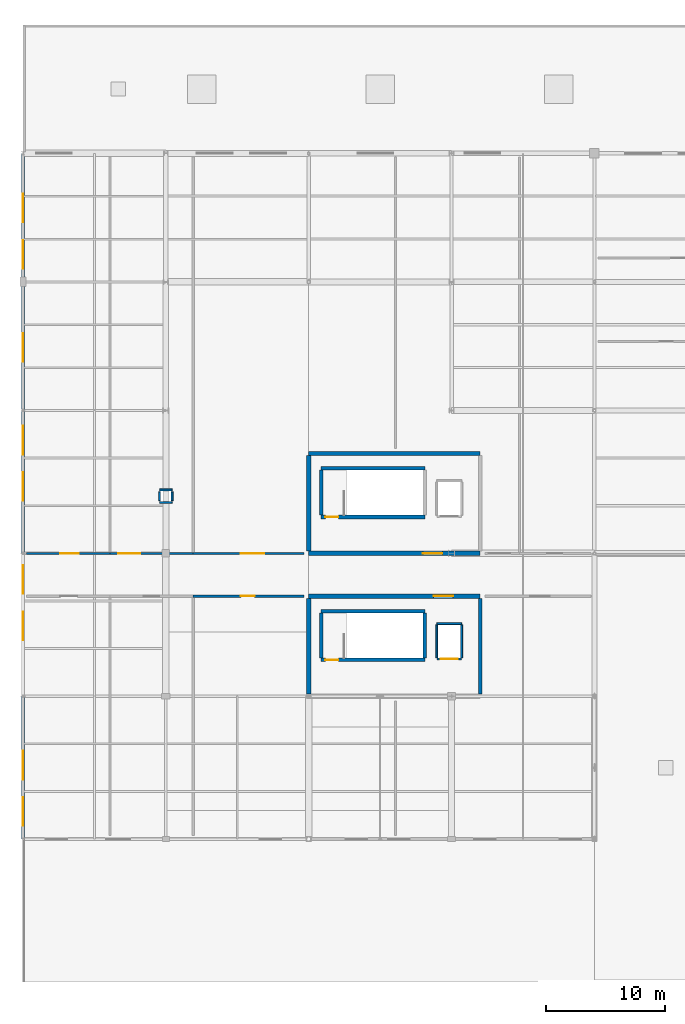
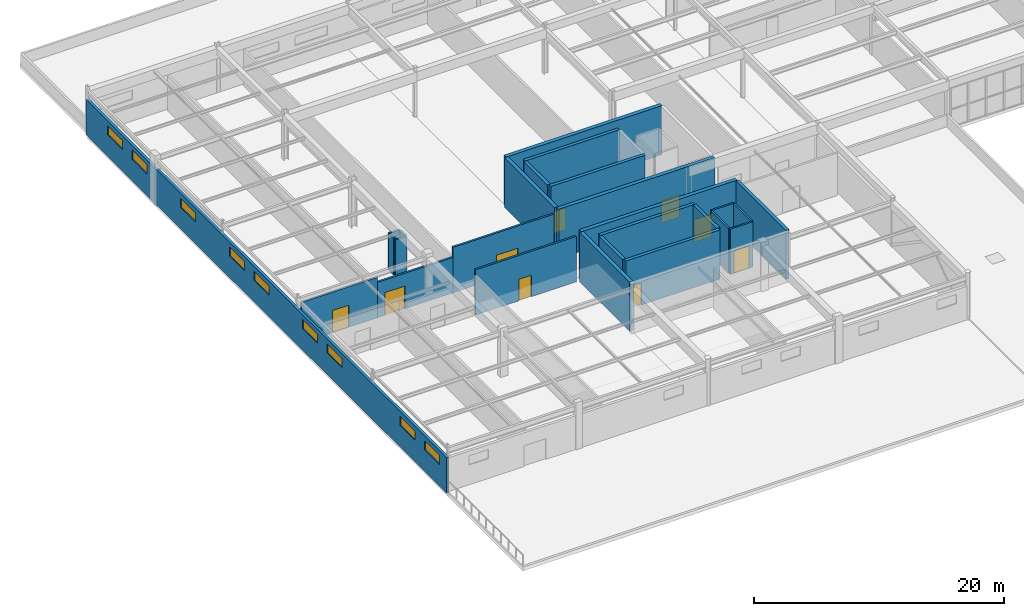
# One storey, part 158 of 186: 26 walls, 9 doors, 9 windows, 18 openings.
"""IFC4 building model written with IfcOpenShell, lengths in metres."""

from ifc_helpers import new_model, si_unit, direction, frame, frame_2d, origin, place, context, subcontext, project, spatial, rectangle, extrude, material, layer, layer_set, type_object, element, fill, save


model = new_model("IFC4")

# Units and contexts
model_context = context("Model", 3, precision=1e-05, world=origin(), true_north=direction((0.0, 1.0)))
body_context = subcontext(model_context, "Body", "Model", "MODEL_VIEW")
ifc_project = project(units=[si_unit("LENGTHUNIT", "METRE"), si_unit("AREAUNIT", "SQUARE_METRE"), si_unit("VOLUMEUNIT", "CUBIC_METRE"), si_unit("PLANEANGLEUNIT", "RADIAN"), si_unit("MASSUNIT", "GRAM", prefix="KILO")], contexts=[model_context])

# Site, building, storey
site_placement = place(None, origin())
site = spatial("IfcSite", under=ifc_project, at=site_placement, CompositionType="ELEMENT")
building_placement = place(site_placement, origin())
building = spatial("IfcBuilding", under=site, at=building_placement, Name="Tarnwether General Hospital", CompositionType="ELEMENT")
storey_placement = place(building_placement, frame((0.0, 0.0, 9.60009765625)))
storey = spatial("IfcBuildingStorey", under=building, at=storey_placement, Name="L02", CompositionType="ELEMENT", Elevation=9.60009765625)

# Wall, openings, windows
ifc_material_1 = material(Name="Folded zinc-titanium cladding")
ifc_layer_1 = layer(ifc_material_1, 0.239990234375)
ifc_layer_set_1 = layer_set([ifc_layer_1], Name="Folded zinc-titanium cladding")
wall_type_1 = type_object("IfcWallType", Name="WL-EX240", PredefinedType="STANDARD", material=ifc_layer_set_1)
wall_1_placement = place(storey_placement, frame((0.0, 57.60009765625, 0.0), z_axis=(0.0, 0.0, 1.0), x_axis=(0.0, 1.0, 0.0)))
wall_1 = element("IfcWall", 1, at=wall_1_placement, inside=storey, type_object=wall_type_1, Name="L02 Operating Suite West Wall EW-L02-0314", PredefinedType="STANDARD", context=body_context, shape_type="SweptSolid", body=[
    extrude(rectangle(XDim=57.599853515625, YDim=0.239990234375, at=frame_2d((28.7998046875, 0.0))), origin(), (0.0, 0.0, 1.0), 3.46484375),
])
opening_1_placement = place(wall_1_placement, frame((1.10009765625, 0.0, 2.10009765625)))
opening_1 = element("IfcOpeningElement", 2, at=opening_1_placement, cuts=wall_1, Name="Opening W-19", PredefinedType="OPENING", context=body_context, shape_type="SweptSolid", body=[
    extrude(rectangle(XDim=2.39990234375, YDim=0.89990234375, at=frame_2d((1.199951171875, 0.449951171875))), frame((0.0, 0.1298828125, 0.0), z_axis=(0.0, -1.0, 0.0), x_axis=(1.0, 0.0, 0.0)), (0.0, 0.0, 1.0), 0.260009765625),
])
opening_2_placement = place(wall_1_placement, frame((5.0, 0.0, 2.10009765625)))
opening_2 = element("IfcOpeningElement", 3, at=opening_2_placement, cuts=wall_1, Name="Opening W-19", PredefinedType="OPENING", context=body_context, shape_type="SweptSolid", body=[
    extrude(rectangle(XDim=2.39990234375, YDim=0.89990234375, at=frame_2d((1.199951171875, 0.449951171875))), frame((0.0, 0.1298828125, 0.0), z_axis=(0.0, -1.0, 0.0), x_axis=(1.0, 0.0, 0.0)), (0.0, 0.0, 1.0), 0.260009765625),
])
opening_3_placement = place(wall_1_placement, frame((16.699951171875, 0.0, 2.10009765625)))
opening_3 = element("IfcOpeningElement", 4, at=opening_3_placement, cuts=wall_1, Name="Opening W-19", PredefinedType="OPENING", context=body_context, shape_type="SweptSolid", body=[
    extrude(rectangle(XDim=2.39990234375, YDim=0.89990234375, at=frame_2d((1.199951171875, 0.449951171875))), frame((0.0, 0.1298828125, 0.0), z_axis=(0.0, -1.0, 0.0), x_axis=(1.0, 0.0, 0.0)), (0.0, 0.0, 1.0), 0.260009765625),
])
opening_4_placement = place(wall_1_placement, frame((20.60009765625, 0.0, 2.10009765625)))
opening_4 = element("IfcOpeningElement", 5, at=opening_4_placement, cuts=wall_1, Name="Opening W-19", PredefinedType="OPENING", context=body_context, shape_type="SweptSolid", body=[
    extrude(rectangle(XDim=2.39990234375, YDim=0.89990234375, at=frame_2d((1.199951171875, 0.449951171875))), frame((0.0, 0.1298828125, 0.0), z_axis=(0.0, -1.0, 0.0), x_axis=(1.0, 0.0, 0.0)), (0.0, 0.0, 1.0), 0.260009765625),
])
opening_5_placement = place(wall_1_placement, frame((28.39990234375, 0.0, 2.10009765625)))
opening_5 = element("IfcOpeningElement", 6, at=opening_5_placement, cuts=wall_1, Name="Opening W-19", PredefinedType="OPENING", context=body_context, shape_type="SweptSolid", body=[
    extrude(rectangle(XDim=2.39990234375, YDim=0.89990234375, at=frame_2d((1.199951171875, 0.449951171875))), frame((0.0, 0.1298828125, 0.0), z_axis=(0.0, -1.0, 0.0), x_axis=(1.0, 0.0, 0.0)), (0.0, 0.0, 1.0), 0.260009765625),
])
opening_6_placement = place(wall_1_placement, frame((32.300048828125, 0.0, 2.10009765625)))
opening_6 = element("IfcOpeningElement", 7, at=opening_6_placement, cuts=wall_1, Name="Opening W-19", PredefinedType="OPENING", context=body_context, shape_type="SweptSolid", body=[
    extrude(rectangle(XDim=2.39990234375, YDim=0.89990234375, at=frame_2d((1.199951171875, 0.449951171875))), frame((0.0, 0.1298828125, 0.0), z_axis=(0.0, -1.0, 0.0), x_axis=(1.0, 0.0, 0.0)), (0.0, 0.0, 1.0), 0.260009765625),
])
opening_7_placement = place(wall_1_placement, frame((40.10009765625, 0.0, 2.10009765625)))
opening_7 = element("IfcOpeningElement", 8, at=opening_7_placement, cuts=wall_1, Name="Opening W-19", PredefinedType="OPENING", context=body_context, shape_type="SweptSolid", body=[
    extrude(rectangle(XDim=2.39990234375, YDim=0.89990234375, at=frame_2d((1.199951171875, 0.449951171875))), frame((0.0, 0.1298828125, 0.0), z_axis=(0.0, -1.0, 0.0), x_axis=(1.0, 0.0, 0.0)), (0.0, 0.0, 1.0), 0.260009765625),
])
opening_8_placement = place(wall_1_placement, frame((47.89990234375, 0.0, 2.10009765625)))
opening_8 = element("IfcOpeningElement", 9, at=opening_8_placement, cuts=wall_1, Name="Opening W-19", PredefinedType="OPENING", context=body_context, shape_type="SweptSolid", body=[
    extrude(rectangle(XDim=2.39990234375, YDim=0.89990234375, at=frame_2d((1.199951171875, 0.449951171875))), frame((0.0, 0.1298828125, 0.0), z_axis=(0.0, -1.0, 0.0), x_axis=(1.0, 0.0, 0.0)), (0.0, 0.0, 1.0), 0.260009765625),
])
opening_9_placement = place(wall_1_placement, frame((51.800048828125, 0.0, 2.10009765625)))
opening_9 = element("IfcOpeningElement", 10, at=opening_9_placement, cuts=wall_1, Name="Opening W-19", PredefinedType="OPENING", context=body_context, shape_type="SweptSolid", body=[
    extrude(rectangle(XDim=2.39990234375, YDim=0.89990234375, at=frame_2d((1.199951171875, 0.449951171875))), frame((0.0, 0.1298828125, 0.0), z_axis=(0.0, -1.0, 0.0), x_axis=(1.0, 0.0, 0.0)), (0.0, 0.0, 1.0), 0.260009765625),
])
ifc_material_2 = material(Name="Double glazed low-E glass", Category="glass")
window_type = type_object("IfcWindowType", Name="WN-19", PartitioningType="DOUBLE_PANEL_HORIZONTAL", PredefinedType="WINDOW", material=ifc_material_2)
window_1_placement = place(opening_1_placement, origin())
window_1 = element("IfcWindow", 11, at=window_1_placement, inside=storey, type_object=window_type, Name="Window WN-L02-0113", OverallHeight=0.89990234375, OverallWidth=2.39990234375, PartitioningType="DOUBLE_PANEL_HORIZONTAL", PredefinedType="WINDOW", context=body_context, shape_type="SweptSolid", body=[
    extrude(rectangle(XDim=2.39990234375, YDim=0.89990234375, at=frame_2d((1.199951171875, 0.449951171875))), frame((0.0, 0.030029296875, 0.0), z_axis=(0.0, -1.0, 0.0), x_axis=(1.0, 0.0, 0.0)), (0.0, 0.0, 1.0), 0.06005859375),
])
fill(opening_1, window_1)
window_2_placement = place(opening_2_placement, origin())
window_2 = element("IfcWindow", 12, at=window_2_placement, inside=storey, type_object=window_type, Name="Window WN-L02-0114", OverallHeight=0.89990234375, OverallWidth=2.39990234375, PartitioningType="DOUBLE_PANEL_HORIZONTAL", PredefinedType="WINDOW", context=body_context, shape_type="SweptSolid", body=[
    extrude(rectangle(XDim=2.39990234375, YDim=0.89990234375, at=frame_2d((1.199951171875, 0.449951171875))), frame((0.0, 0.030029296875, 0.0), z_axis=(0.0, -1.0, 0.0), x_axis=(1.0, 0.0, 0.0)), (0.0, 0.0, 1.0), 0.06005859375),
])
fill(opening_2, window_2)
window_3_placement = place(opening_3_placement, origin())
window_3 = element("IfcWindow", 13, at=window_3_placement, inside=storey, type_object=window_type, Name="Window WN-L02-0115", OverallHeight=0.89990234375, OverallWidth=2.39990234375, PartitioningType="DOUBLE_PANEL_HORIZONTAL", PredefinedType="WINDOW", context=body_context, shape_type="SweptSolid", body=[
    extrude(rectangle(XDim=2.39990234375, YDim=0.89990234375, at=frame_2d((1.199951171875, 0.449951171875))), frame((0.0, 0.030029296875, 0.0), z_axis=(0.0, -1.0, 0.0), x_axis=(1.0, 0.0, 0.0)), (0.0, 0.0, 1.0), 0.06005859375),
])
fill(opening_3, window_3)
window_4_placement = place(opening_4_placement, origin())
window_4 = element("IfcWindow", 14, at=window_4_placement, inside=storey, type_object=window_type, Name="Window WN-L02-0116", OverallHeight=0.89990234375, OverallWidth=2.39990234375, PartitioningType="DOUBLE_PANEL_HORIZONTAL", PredefinedType="WINDOW", context=body_context, shape_type="SweptSolid", body=[
    extrude(rectangle(XDim=2.39990234375, YDim=0.89990234375, at=frame_2d((1.199951171875, 0.449951171875))), frame((0.0, 0.030029296875, 0.0), z_axis=(0.0, -1.0, 0.0), x_axis=(1.0, 0.0, 0.0)), (0.0, 0.0, 1.0), 0.06005859375),
])
fill(opening_4, window_4)
window_5_placement = place(opening_5_placement, origin())
window_5 = element("IfcWindow", 15, at=window_5_placement, inside=storey, type_object=window_type, Name="Window WN-L02-0117", OverallHeight=0.89990234375, OverallWidth=2.39990234375, PartitioningType="DOUBLE_PANEL_HORIZONTAL", PredefinedType="WINDOW", context=body_context, shape_type="SweptSolid", body=[
    extrude(rectangle(XDim=2.39990234375, YDim=0.89990234375, at=frame_2d((1.199951171875, 0.449951171875))), frame((0.0, 0.030029296875, 0.0), z_axis=(0.0, -1.0, 0.0), x_axis=(1.0, 0.0, 0.0)), (0.0, 0.0, 1.0), 0.06005859375),
])
fill(opening_5, window_5)
window_6_placement = place(opening_6_placement, origin())
window_6 = element("IfcWindow", 16, at=window_6_placement, inside=storey, type_object=window_type, Name="Window WN-L02-0118", OverallHeight=0.89990234375, OverallWidth=2.39990234375, PartitioningType="DOUBLE_PANEL_HORIZONTAL", PredefinedType="WINDOW", context=body_context, shape_type="SweptSolid", body=[
    extrude(rectangle(XDim=2.39990234375, YDim=0.89990234375, at=frame_2d((1.199951171875, 0.449951171875))), frame((0.0, 0.030029296875, 0.0), z_axis=(0.0, -1.0, 0.0), x_axis=(1.0, 0.0, 0.0)), (0.0, 0.0, 1.0), 0.06005859375),
])
fill(opening_6, window_6)
window_7_placement = place(opening_7_placement, origin())
window_7 = element("IfcWindow", 17, at=window_7_placement, inside=storey, type_object=window_type, Name="Window WN-L02-0119", OverallHeight=0.89990234375, OverallWidth=2.39990234375, PartitioningType="DOUBLE_PANEL_HORIZONTAL", PredefinedType="WINDOW", context=body_context, shape_type="SweptSolid", body=[
    extrude(rectangle(XDim=2.39990234375, YDim=0.89990234375, at=frame_2d((1.199951171875, 0.449951171875))), frame((0.0, 0.030029296875, 0.0), z_axis=(0.0, -1.0, 0.0), x_axis=(1.0, 0.0, 0.0)), (0.0, 0.0, 1.0), 0.06005859375),
])
fill(opening_7, window_7)
window_8_placement = place(opening_8_placement, origin())
window_8 = element("IfcWindow", 18, at=window_8_placement, inside=storey, type_object=window_type, Name="Window WN-L02-0120", OverallHeight=0.89990234375, OverallWidth=2.39990234375, PartitioningType="DOUBLE_PANEL_HORIZONTAL", PredefinedType="WINDOW", context=body_context, shape_type="SweptSolid", body=[
    extrude(rectangle(XDim=2.39990234375, YDim=0.89990234375, at=frame_2d((1.199951171875, 0.449951171875))), frame((0.0, 0.030029296875, 0.0), z_axis=(0.0, -1.0, 0.0), x_axis=(1.0, 0.0, 0.0)), (0.0, 0.0, 1.0), 0.06005859375),
])
fill(opening_8, window_8)
window_9_placement = place(opening_9_placement, origin())
window_9 = element("IfcWindow", 19, at=window_9_placement, inside=storey, type_object=window_type, Name="Window WN-L02-0121", OverallHeight=0.89990234375, OverallWidth=2.39990234375, PartitioningType="DOUBLE_PANEL_HORIZONTAL", PredefinedType="WINDOW", context=body_context, shape_type="SweptSolid", body=[
    extrude(rectangle(XDim=2.39990234375, YDim=0.89990234375, at=frame_2d((1.199951171875, 0.449951171875))), frame((0.0, 0.030029296875, 0.0), z_axis=(0.0, -1.0, 0.0), x_axis=(1.0, 0.0, 0.0)), (0.0, 0.0, 1.0), 0.06005859375),
])
fill(opening_9, window_9)

# Walls
ifc_material_3 = material(Name="Gypsum plasterboard")
ifc_layer_2 = layer(ifc_material_3, 0.159912109375)
ifc_layer_set_2 = layer_set([ifc_layer_2], Name="Gypsum plasterboard")
wall_type_2 = type_object("IfcWallType", Name="WL-PT160", PredefinedType="PARTITIONING", material=ifc_layer_set_2)
for number, where, z_axis, x_axis, name in (
    (20, (11.469970703125, 85.8701171875, 0.0), (0.0, 0.0, 1.0), (1.0, 0.0, 0.0), "Service Riser Enclosure SL-L02-V3A S"),
    (21, (12.530029296875, 86.929931640625, 0.0), (0.0, 0.0, 1.0), (-1.0, 0.0, 0.0), "Service Riser Enclosure SL-L02-V3A N"),
):
    element("IfcWall", number, at=place(storey_placement, frame(where, z_axis=z_axis, x_axis=x_axis)), inside=storey, type_object=wall_type_2, Name=name, PredefinedType="PARTITIONING", context=body_context, shape_type="SweptSolid", body=[
        extrude(rectangle(XDim=1.06005859375, YDim=0.159912109375, at=frame_2d((0.530029296875, 0.0))), origin(), (0.0, 0.0, 1.0), 3.5498046875),
    ])
for number, where, z_axis, x_axis, name in (
    (22, (11.469970703125, 86.77001953125, 0.0), (0.0, 0.0, 1.0), (0.0, -1.0, 0.0), "Service Riser Enclosure SL-L02-V3A W"),
    (23, (12.530029296875, 86.030029296875, 0.0), (0.0, 0.0, 1.0), (0.0, 1.0, 0.0), "Service Riser Enclosure SL-L02-V3A E"),
):
    element("IfcWall", number, at=place(storey_placement, frame(where, z_axis=z_axis, x_axis=x_axis)), inside=storey, type_object=wall_type_2, Name=name, PredefinedType="PARTITIONING", context=body_context, shape_type="SweptSolid", body=[
        extrude(rectangle(XDim=0.739990234375, YDim=0.159912109375, at=frame_2d((0.3701171875, 0.0))), origin(), (0.0, 0.0, 1.0), 3.5498046875),
    ])

# Wall, opening, door
wall_2_placement = place(storey_placement, frame((34.760009765625, 72.7099609375, 0.0), z_axis=(0.0, 0.0, 1.0), x_axis=(1.0, 0.0, 0.0)))
wall_2 = element("IfcWall", 24, at=wall_2_placement, inside=storey, type_object=wall_type_2, Name="Lift L-07 Shaft Wall LSH-L-07-L02-S", PredefinedType="PARTITIONING", context=body_context, shape_type="SweptSolid", body=[
    extrude(rectangle(XDim=2.080078125, YDim=0.159912109375, at=frame_2d((1.0400390625, 0.0))), origin(), (0.0, 0.0, 1.0), 4.429931640625),
])
opening_10_placement = place(wall_2_placement, frame((0.340087890625, 0.0, 0.0)))
opening_10 = element("IfcOpeningElement", 25, at=opening_10_placement, cuts=wall_2, Name="Opening LD-01", PredefinedType="OPENING", context=body_context, shape_type="SweptSolid", body=[
    extrude(rectangle(XDim=1.39990234375, YDim=2.199951171875, at=frame_2d((0.699951171875, 1.10009765625))), frame((0.0, 0.08984375, 0.0), z_axis=(0.0, -1.0, 0.0), x_axis=(1.0, 0.0, 0.0)), (0.0, 0.0, 1.0), 0.179931640625),
])
ifc_material_4 = material(Name="Anodised aluminium", Category="aluminium")
door_type_1 = type_object("IfcDoorType", Name="DR-LD01", OperationType="NOTDEFINED", PredefinedType="DOOR", material=ifc_material_4)
door_1_placement = place(opening_10_placement, origin())
door_1 = element("IfcDoor", 26, at=door_1_placement, inside=storey, type_object=door_type_1, Name="Lift L-07 Sliding Landing Door L02", OperationType="SLIDING_TO_RIGHT", OverallHeight=2.199951171875, OverallWidth=1.39990234375, PredefinedType="DOOR", context=body_context, shape_type="SweptSolid", body=[
    extrude(rectangle(XDim=1.39990234375, YDim=2.199951171875, at=frame_2d((0.699951171875, 1.10009765625))), frame((0.0, 0.02490234375, 0.0), z_axis=(0.0, -1.0, 0.0), x_axis=(1.0, 0.0, 0.0)), (0.0, 0.0, 1.0), 0.050048828125),
])
fill(opening_10, door_1)

# Walls
wall_3_placement = place(storey_placement, frame((36.840087890625, 75.68994140625, 0.0), z_axis=(0.0, 0.0, 1.0), x_axis=(-1.0, 0.0, 0.0)))
element("IfcWall", 27, at=wall_3_placement, inside=storey, type_object=wall_type_2, Name="Lift L-07 Shaft Wall LSH-L-07-L02-N", PredefinedType="PARTITIONING", context=body_context, shape_type="SweptSolid", body=[
    extrude(rectangle(XDim=2.080078125, YDim=0.159912109375, at=frame_2d((1.0400390625, 0.0))), origin(), (0.0, 0.0, 1.0), 4.429931640625),
])
for number, where, z_axis, x_axis, name in (
    (28, (34.760009765625, 75.590087890625, 0.0), (0.0, 0.0, 1.0), (0.0, -1.0, 0.0), "Lift L-07 Shaft Wall LSH-L-07-L02-W"),
    (29, (36.840087890625, 72.81005859375, 0.0), (0.0, 0.0, 1.0), (0.0, 1.0, 0.0), "Lift L-07 Shaft Wall LSH-L-07-L02-E"),
):
    element("IfcWall", number, at=place(storey_placement, frame(where, z_axis=z_axis, x_axis=x_axis)), inside=storey, type_object=wall_type_2, Name=name, PredefinedType="PARTITIONING", context=body_context, shape_type="SweptSolid", body=[
        extrude(rectangle(XDim=2.780029296875, YDim=0.159912109375, at=frame_2d((1.39013671875, 0.0))), origin(), (0.0, 0.0, 1.0), 4.429931640625),
    ])

# Wall, opening, door
ifc_material_5 = material(Name="Gypsum plasterboard")
ifc_layer_3 = layer(ifc_material_5, 0.179931640625)
ifc_layer_set_3 = layer_set([ifc_layer_3], Name="Gypsum plasterboard")
wall_type_3 = type_object("IfcWallType", Name="WL-PT180", PredefinedType="PARTITIONING", material=ifc_layer_set_3)
wall_4_placement = place(storey_placement, frame((14.300048828125, 78.0, 0.0), z_axis=(0.0, 0.0, 1.0), x_axis=(1.0, 0.0, 0.0)))
wall_4 = element("IfcWall", 30, at=wall_4_placement, inside=storey, type_object=wall_type_3, Name="Interior Partition PT-L02-0244", PredefinedType="PARTITIONING", context=body_context, shape_type="SweptSolid", body=[
    extrude(rectangle(XDim=9.300048828125, YDim=0.179931640625, at=frame_2d((4.64990234375, 0.0))), origin(), (0.0, 0.0, 1.0), 4.429931640625),
])
opening_11_placement = place(wall_4_placement, frame((4.0, 0.0, 0.0)))
opening_11 = element("IfcOpeningElement", 31, at=opening_11_placement, cuts=wall_4, Name="Opening D-06", PredefinedType="OPENING", context=body_context, shape_type="SweptSolid", body=[
    extrude(rectangle(XDim=1.159912109375, YDim=2.10009765625, at=frame_2d((0.580078125, 1.050048828125))), frame((0.0, 0.10009765625, 0.0), z_axis=(0.0, -1.0, 0.0), x_axis=(1.0, 0.0, 0.0)), (0.0, 0.0, 1.0), 0.199951171875),
])
ifc_material_6 = material(Name="Anodised aluminium", Category="aluminium")
door_type_2 = type_object("IfcDoorType", Name="DR-IN06", OperationType="NOTDEFINED", PredefinedType="DOOR", material=ifc_material_6)
door_2_placement = place(opening_11_placement, origin())
door_2 = element("IfcDoor", 32, at=door_2_placement, inside=storey, type_object=door_type_2, Name="Interior Door DR-L02-0135", OperationType="SINGLE_SWING_LEFT", OverallHeight=2.10009765625, OverallWidth=1.159912109375, PredefinedType="DOOR", context=body_context, shape_type="SweptSolid", body=[
    extrude(rectangle(XDim=1.159912109375, YDim=2.10009765625, at=frame_2d((0.580078125, 1.050048828125))), frame((0.0, 0.02490234375, 0.0), z_axis=(0.0, -1.0, 0.0), x_axis=(1.0, 0.0, 0.0)), (0.0, 0.0, 1.0), 0.050048828125),
])
fill(opening_11, door_2)

wall_5_placement = place(storey_placement, frame((0.300048828125, 81.60009765625, 0.0), z_axis=(0.0, 0.0, 1.0), x_axis=(1.0, 0.0, 0.0)))
wall_5 = element("IfcWall", 33, at=wall_5_placement, inside=storey, type_object=wall_type_3, Name="Interior Partition PT-L02-0247", PredefinedType="PARTITIONING", context=body_context, shape_type="SweptSolid", body=[
    extrude(rectangle(XDim=7.0, YDim=0.179931640625, at=frame_2d((3.5, 0.0))), origin(), (0.0, 0.0, 1.0), 3.954833984375),
])
opening_12_placement = place(wall_5_placement, frame((2.85009765625, 0.0, 0.0)))
opening_12 = element("IfcOpeningElement", 34, at=opening_12_placement, cuts=wall_5, Name="Opening FD-02", PredefinedType="OPENING", context=body_context, shape_type="SweptSolid", body=[
    extrude(rectangle(XDim=1.52001953125, YDim=2.159912109375, at=frame_2d((0.760009765625, 1.080078125))), frame((0.0, 0.10009765625, 0.0), z_axis=(0.0, -1.0, 0.0), x_axis=(1.0, 0.0, 0.0)), (0.0, 0.0, 1.0), 0.199951171875),
])
ifc_material_7 = material(Name="Anodised aluminium", Category="aluminium")
door_type_3 = type_object("IfcDoorType", Name="DR-FD02", OperationType="NOTDEFINED", PredefinedType="DOOR", material=ifc_material_7)
door_3_placement = place(opening_12_placement, origin())
door_3 = element("IfcDoor", 35, at=door_3_placement, inside=storey, type_object=door_type_3, Name="Interior Door DR-L02-0137", OperationType="SINGLE_SWING_LEFT", OverallHeight=2.159912109375, OverallWidth=1.52001953125, PredefinedType="DOOR", context=body_context, shape_type="SweptSolid", body=[
    extrude(rectangle(XDim=1.52001953125, YDim=2.159912109375, at=frame_2d((0.760009765625, 1.080078125))), frame((0.0, 0.02490234375, 0.0), z_axis=(0.0, -1.0, 0.0), x_axis=(1.0, 0.0, 0.0)), (0.0, 0.0, 1.0), 0.050048828125),
])
fill(opening_12, door_3)

wall_6_placement = place(storey_placement, frame((7.300048828125, 81.60009765625, 0.0), z_axis=(0.0, 0.0, 1.0), x_axis=(1.0, 0.0, 0.0)))
wall_6 = element("IfcWall", 36, at=wall_6_placement, inside=storey, type_object=wall_type_3, Name="Interior Partition PT-L02-0249", PredefinedType="PARTITIONING", context=body_context, shape_type="SweptSolid", body=[
    extrude(rectangle(XDim=7.0, YDim=0.179931640625, at=frame_2d((3.5, 0.0))), origin(), (0.0, 0.0, 1.0), 3.46484375),
])
opening_13_placement = place(wall_6_placement, frame((0.697021484375, 0.0, 0.0)))
opening_13 = element("IfcOpeningElement", 37, at=opening_13_placement, cuts=wall_6, Name="Opening FD-03", PredefinedType="OPENING", context=body_context, shape_type="SweptSolid", body=[
    extrude(rectangle(XDim=1.840087890625, YDim=2.219970703125, at=frame_2d((0.919921875, 1.10986328125))), frame((0.0, 0.10009765625, 0.0), z_axis=(0.0, -1.0, 0.0), x_axis=(1.0, 0.0, 0.0)), (0.0, 0.0, 1.0), 0.199951171875),
])
ifc_material_8 = material(Name="Anodised aluminium", Category="aluminium")
door_type_4 = type_object("IfcDoorType", Name="DR-FD03", OperationType="NOTDEFINED", PredefinedType="DOOR", material=ifc_material_8)
door_4_placement = place(opening_13_placement, origin())
door_4 = element("IfcDoor", 38, at=door_4_placement, inside=storey, type_object=door_type_4, Name="Interior Door DR-L02-0138", OperationType="DOUBLE_DOOR_SINGLE_SWING", OverallHeight=2.219970703125, OverallWidth=1.840087890625, PredefinedType="DOOR", context=body_context, shape_type="SweptSolid", body=[
    extrude(rectangle(XDim=1.840087890625, YDim=2.219970703125, at=frame_2d((0.919921875, 1.10986328125))), frame((0.0, 0.02490234375, 0.0), z_axis=(0.0, -1.0, 0.0), x_axis=(1.0, 0.0, 0.0)), (0.0, 0.0, 1.0), 0.050048828125),
])
fill(opening_13, door_4)

wall_7_placement = place(storey_placement, frame((14.300048828125, 81.60009765625, 0.0), z_axis=(0.0, 0.0, 1.0), x_axis=(1.0, 0.0, 0.0)))
wall_7 = element("IfcWall", 39, at=wall_7_placement, inside=storey, type_object=wall_type_3, Name="Interior Partition PT-L02-0251", PredefinedType="PARTITIONING", context=body_context, shape_type="SweptSolid", body=[
    extrude(rectangle(XDim=9.300048828125, YDim=0.179931640625, at=frame_2d((4.64990234375, 0.0))), origin(), (0.0, 0.0, 1.0), 4.429931640625),
])
opening_14_placement = place(wall_7_placement, frame((4.0, 0.0, 0.0)))
opening_14 = element("IfcOpeningElement", 40, at=opening_14_placement, cuts=wall_7, Name="Opening FD-04", PredefinedType="OPENING", context=body_context, shape_type="SweptSolid", body=[
    extrude(rectangle(XDim=1.97998046875, YDim=2.260009765625, at=frame_2d((0.989990234375, 1.1298828125))), frame((0.0, 0.10009765625, 0.0), z_axis=(0.0, -1.0, 0.0), x_axis=(1.0, 0.0, 0.0)), (0.0, 0.0, 1.0), 0.199951171875),
])
ifc_material_9 = material(Name="Anodised aluminium", Category="aluminium")
door_type_5 = type_object("IfcDoorType", Name="DR-FD04", OperationType="NOTDEFINED", PredefinedType="DOOR", material=ifc_material_9)
door_5_placement = place(opening_14_placement, origin())
door_5 = element("IfcDoor", 41, at=door_5_placement, inside=storey, type_object=door_type_5, Name="Interior Door DR-L02-0139", OperationType="DOUBLE_DOOR_SINGLE_SWING", OverallHeight=2.260009765625, OverallWidth=1.97998046875, PredefinedType="DOOR", context=body_context, shape_type="SweptSolid", body=[
    extrude(rectangle(XDim=1.97998046875, YDim=2.260009765625, at=frame_2d((0.989990234375, 1.1298828125))), frame((0.0, 0.02490234375, 0.0), z_axis=(0.0, -1.0, 0.0), x_axis=(1.0, 0.0, 0.0)), (0.0, 0.0, 1.0), 0.050048828125),
])
fill(opening_14, door_5)

# Wall
ifc_material_10 = material(Name="Concrete 50 MPa", Category="concrete")
ifc_layer_4 = layer(ifc_material_10, 0.300048828125)
ifc_layer_set_4 = layer_set([ifc_layer_4], Name="Concrete 50 MPa")
wall_type_4 = type_object("IfcWallType", Name="WL-SW300", PredefinedType="SHEAR", material=ifc_layer_set_4)
wall_8_placement = place(storey_placement, frame((38.39990234375, 77.800048828125, 0.0), z_axis=(0.0, 0.0, 1.0), x_axis=(0.0, -1.0, 0.0)))
element("IfcWall", 42, at=wall_8_placement, inside=storey, type_object=wall_type_4, Name="Core Shear Wall CWALL-K3-L02-E", PredefinedType="SHEAR", context=body_context, shape_type="SweptSolid", body=[
    extrude(rectangle(XDim=8.0, YDim=0.300048828125, at=frame_2d((4.0, 0.0))), origin(), (0.0, 0.0, 1.0), 4.7998046875),
])

# Wall, opening, door
wall_9_placement = place(storey_placement, frame((25.050048828125, 72.64990234375, 0.0), z_axis=(0.0, 0.0, 1.0), x_axis=(1.0, 0.0, 0.0)))
wall_9 = element("IfcWall", 43, at=wall_9_placement, inside=storey, type_object=wall_type_4, Name="Stairwell Shear Wall STW-ST-03-L02-B", PredefinedType="SHEAR", context=body_context, shape_type="SweptSolid", body=[
    extrude(rectangle(XDim=8.699951171875, YDim=0.300048828125, at=frame_2d((4.35009765625, 0.0))), origin(), (0.0, 0.0, 1.0), 4.7998046875),
])
opening_15_placement = place(wall_9_placement, frame((0.35009765625, 0.0, 0.0)))
opening_15 = element("IfcOpeningElement", 44, at=opening_15_placement, cuts=wall_9, Name="Opening FD-06", PredefinedType="OPENING", context=body_context, shape_type="SweptSolid", body=[
    extrude(rectangle(XDim=1.10009765625, YDim=2.14990234375, at=frame_2d((0.550048828125, 1.074951171875))), frame((0.0, 0.16015625, 0.0), z_axis=(0.0, -1.0, 0.0), x_axis=(1.0, 0.0, 0.0)), (0.0, 0.0, 1.0), 0.320068359375),
])
ifc_material_11 = material(Name="Anodised aluminium", Category="aluminium")
door_type_6 = type_object("IfcDoorType", Name="DR-FD06", OperationType="NOTDEFINED", PredefinedType="DOOR", material=ifc_material_11)
door_6_placement = place(opening_15_placement, origin())
door_6 = element("IfcDoor", 45, at=door_6_placement, inside=storey, type_object=door_type_6, Name="Stairwell ST-03 Safe-Path Fire Door L02", OperationType="SINGLE_SWING_RIGHT", OverallHeight=2.14990234375, OverallWidth=1.10009765625, PredefinedType="DOOR", context=body_context, shape_type="SweptSolid", body=[
    extrude(rectangle(XDim=1.10009765625, YDim=2.14990234375, at=frame_2d((0.550048828125, 1.074951171875))), frame((0.0, 0.02490234375, 0.0), z_axis=(0.0, -1.0, 0.0), x_axis=(1.0, 0.0, 0.0)), (0.0, 0.0, 1.0), 0.050048828125),
])
fill(opening_15, door_6)

# Walls
wall_10_placement = place(storey_placement, frame((33.75, 76.75, 0.0), z_axis=(0.0, 0.0, 1.0), x_axis=(-1.0, 0.0, 0.0)))
element("IfcWall", 46, at=wall_10_placement, inside=storey, type_object=wall_type_4, Name="Stairwell Shear Wall STW-ST-03-L02-N", PredefinedType="SHEAR", context=body_context, shape_type="SweptSolid", body=[
    extrude(rectangle(XDim=8.699951171875, YDim=0.300048828125, at=frame_2d((4.35009765625, 0.0))), origin(), (0.0, 0.0, 1.0), 4.7998046875),
])
for number, where, z_axis, x_axis, name in (
    (47, (25.050048828125, 72.820068359375, 0.0), (0.0, 0.0, 1.0), (0.0, 1.0, 0.0), "Stairwell Shear Wall STW-ST-03-L02-L"),
    (48, (33.75, 72.820068359375, 0.0), (0.0, 0.0, 1.0), (0.0, 1.0, 0.0), "Stairwell Shear Wall STW-ST-03-L02-F"),
):
    element("IfcWall", number, at=place(storey_placement, frame(where, z_axis=z_axis, x_axis=x_axis)), inside=storey, type_object=wall_type_4, Name=name, PredefinedType="SHEAR", context=body_context, shape_type="SweptSolid", body=[
        extrude(rectangle(XDim=3.760009765625, YDim=0.300048828125, at=frame_2d((1.8798828125, 0.0))), origin(), (0.0, 0.0, 1.0), 4.7998046875),
    ])

# Wall, opening, door
wall_11_placement = place(storey_placement, frame((25.050048828125, 84.64990234375, 0.0), z_axis=(0.0, 0.0, 1.0), x_axis=(1.0, 0.0, 0.0)))
wall_11 = element("IfcWall", 49, at=wall_11_placement, inside=storey, type_object=wall_type_4, Name="Stairwell Shear Wall STW-ST-04-L02-B", PredefinedType="SHEAR", context=body_context, shape_type="SweptSolid", body=[
    extrude(rectangle(XDim=8.699951171875, YDim=0.300048828125, at=frame_2d((4.35009765625, 0.0))), origin(), (0.0, 0.0, 1.0), 4.7998046875),
])
opening_16_placement = place(wall_11_placement, frame((0.35009765625, 0.0, 0.0)))
opening_16 = element("IfcOpeningElement", 50, at=opening_16_placement, cuts=wall_11, Name="Opening FD-06", PredefinedType="OPENING", context=body_context, shape_type="SweptSolid", body=[
    extrude(rectangle(XDim=1.10009765625, YDim=2.14990234375, at=frame_2d((0.550048828125, 1.074951171875))), frame((0.0, 0.16015625, 0.0), z_axis=(0.0, -1.0, 0.0), x_axis=(1.0, 0.0, 0.0)), (0.0, 0.0, 1.0), 0.320068359375),
])
door_7_placement = place(opening_16_placement, origin())
door_7 = element("IfcDoor", 51, at=door_7_placement, inside=storey, type_object=door_type_6, Name="Stairwell ST-04 Safe-Path Fire Door L02", OperationType="SINGLE_SWING_RIGHT", OverallHeight=2.14990234375, OverallWidth=1.10009765625, PredefinedType="DOOR", context=body_context, shape_type="SweptSolid", body=[
    extrude(rectangle(XDim=1.10009765625, YDim=2.14990234375, at=frame_2d((0.550048828125, 1.074951171875))), frame((0.0, 0.02490234375, 0.0), z_axis=(0.0, -1.0, 0.0), x_axis=(1.0, 0.0, 0.0)), (0.0, 0.0, 1.0), 0.050048828125),
])
fill(opening_16, door_7)

# Walls
wall_12_placement = place(storey_placement, frame((33.75, 88.75, 0.0), z_axis=(0.0, 0.0, 1.0), x_axis=(-1.0, 0.0, 0.0)))
element("IfcWall", 52, at=wall_12_placement, inside=storey, type_object=wall_type_4, Name="Stairwell Shear Wall STW-ST-04-L02-N", PredefinedType="SHEAR", context=body_context, shape_type="SweptSolid", body=[
    extrude(rectangle(XDim=8.699951171875, YDim=0.300048828125, at=frame_2d((4.35009765625, 0.0))), origin(), (0.0, 0.0, 1.0), 4.7998046875),
])
wall_13_placement = place(storey_placement, frame((25.050048828125, 84.820068359375, 0.0), z_axis=(0.0, 0.0, 1.0), x_axis=(0.0, 1.0, 0.0)))
element("IfcWall", 53, at=wall_13_placement, inside=storey, type_object=wall_type_4, Name="Stairwell Shear Wall STW-ST-04-L02-L", PredefinedType="SHEAR", context=body_context, shape_type="SweptSolid", body=[
    extrude(rectangle(XDim=3.760009765625, YDim=0.300048828125, at=frame_2d((1.8798828125, 0.0))), origin(), (0.0, 0.0, 1.0), 4.7998046875),
])

# Wall, opening, door
ifc_material_12 = material(Name="Concrete 50 MPa", Category="concrete")
ifc_layer_5 = layer(ifc_material_12, 0.35009765625)
ifc_layer_set_5 = layer_set([ifc_layer_5], Name="Concrete 50 MPa")
wall_type_5 = type_object("IfcWallType", Name="WL-SW350", PredefinedType="SHEAR", material=ifc_layer_set_5)
wall_14_placement = place(storey_placement, frame((24.0, 78.0, 0.0), z_axis=(0.0, 0.0, 1.0), x_axis=(1.0, 0.0, 0.0)))
wall_14 = element("IfcWall", 54, at=wall_14_placement, inside=storey, type_object=wall_type_5, Name="Core Shear Wall CWALL-K3-L02-N", PredefinedType="SHEAR", context=body_context, shape_type="SweptSolid", body=[
    extrude(rectangle(XDim=14.39990234375, YDim=0.35009765625, at=frame_2d((7.199951171875, 0.0))), origin(), (0.0, 0.0, 1.0), 4.7998046875),
])
opening_17_placement = place(wall_14_placement, frame((10.5, 0.0, 0.0)))
opening_17 = element("IfcOpeningElement", 55, at=opening_17_placement, cuts=wall_14, Name="Opening FD-01", PredefinedType="OPENING", context=body_context, shape_type="SweptSolid", body=[
    extrude(rectangle(XDim=1.639892578125, YDim=2.199951171875, at=frame_2d((0.81982421875, 1.10009765625))), frame((0.0, 0.18505859375, 0.0), z_axis=(0.0, -1.0, 0.0), x_axis=(1.0, 0.0, 0.0)), (0.0, 0.0, 1.0), 0.3701171875),
])
ifc_material_13 = material(Name="Anodised aluminium", Category="aluminium")
door_type_7 = type_object("IfcDoorType", Name="DR-FD01", OperationType="NOTDEFINED", PredefinedType="DOOR", material=ifc_material_13)
door_8_placement = place(opening_17_placement, origin())
door_8 = element("IfcDoor", 56, at=door_8_placement, inside=storey, type_object=door_type_7, Name="Core K3 North Corridor Fire Door L02", OperationType="DOUBLE_DOOR_SINGLE_SWING", OverallHeight=2.199951171875, OverallWidth=1.639892578125, PredefinedType="DOOR", context=body_context, shape_type="SweptSolid", body=[
    extrude(rectangle(XDim=1.639892578125, YDim=2.199951171875, at=frame_2d((0.81982421875, 1.10009765625))), frame((0.0, 0.02490234375, 0.0), z_axis=(0.0, -1.0, 0.0), x_axis=(1.0, 0.0, 0.0)), (0.0, 0.0, 1.0), 0.050048828125),
])
fill(opening_17, door_8)

# Walls
wall_15_placement = place(storey_placement, frame((24.0, 69.800048828125, 0.0), z_axis=(0.0, 0.0, 1.0), x_axis=(0.0, 1.0, 0.0)))
element("IfcWall", 57, at=wall_15_placement, inside=storey, type_object=wall_type_5, Name="Core Shear Wall CWALL-K3-L02-W", PredefinedType="SHEAR", context=body_context, shape_type="SweptSolid", body=[
    extrude(rectangle(XDim=8.0, YDim=0.35009765625, at=frame_2d((4.0, 0.0))), origin(), (0.0, 0.0, 1.0), 4.7998046875),
])
wall_16_placement = place(storey_placement, frame((24.0, 90.0, 0.0), z_axis=(0.0, 0.0, 1.0), x_axis=(1.0, 0.0, 0.0)))
element("IfcWall", 58, at=wall_16_placement, inside=storey, type_object=wall_type_5, Name="Core Shear Wall CWALL-K4-L02-N", PredefinedType="SHEAR", context=body_context, shape_type="SweptSolid", body=[
    extrude(rectangle(XDim=14.39990234375, YDim=0.35009765625, at=frame_2d((7.199951171875, 0.0))), origin(), (0.0, 0.0, 1.0), 4.7998046875),
])

# Wall, opening, door
wall_17_placement = place(storey_placement, frame((38.39990234375, 81.60009765625, 0.0), z_axis=(0.0, 0.0, 1.0), x_axis=(-1.0, 0.0, 0.0)))
wall_17 = element("IfcWall", 59, at=wall_17_placement, inside=storey, type_object=wall_type_5, Name="Core Shear Wall CWALL-K4-L02-S", PredefinedType="SHEAR", context=body_context, shape_type="SweptSolid", body=[
    extrude(rectangle(XDim=14.39990234375, YDim=0.35009765625, at=frame_2d((7.199951171875, 0.0))), origin(), (0.0, 0.0, 1.0), 4.7998046875),
])
opening_18_placement = place(wall_17_placement, frame((3.172119140625, 0.0, 0.0)))
opening_18 = element("IfcOpeningElement", 60, at=opening_18_placement, cuts=wall_17, Name="Opening FD-01", PredefinedType="OPENING", context=body_context, shape_type="SweptSolid", body=[
    extrude(rectangle(XDim=1.639892578125, YDim=2.199951171875, at=frame_2d((0.81982421875, 1.10009765625))), frame((0.0, 0.18505859375, 0.0), z_axis=(0.0, -1.0, 0.0), x_axis=(1.0, 0.0, 0.0)), (0.0, 0.0, 1.0), 0.3701171875),
])
door_9_placement = place(opening_18_placement, origin())
door_9 = element("IfcDoor", 61, at=door_9_placement, inside=storey, type_object=door_type_7, Name="Core K4 Lobby Fire Door L02", OperationType="DOUBLE_DOOR_SINGLE_SWING", OverallHeight=2.199951171875, OverallWidth=1.639892578125, PredefinedType="DOOR", context=body_context, shape_type="SweptSolid", body=[
    extrude(rectangle(XDim=1.639892578125, YDim=2.199951171875, at=frame_2d((0.81982421875, 1.10009765625))), frame((0.0, 0.02490234375, 0.0), z_axis=(0.0, -1.0, 0.0), x_axis=(1.0, 0.0, 0.0)), (0.0, 0.0, 1.0), 0.050048828125),
])
fill(opening_18, door_9)

# Wall
wall_18_placement = place(storey_placement, frame((24.0, 81.800048828125, 0.0), z_axis=(0.0, 0.0, 1.0), x_axis=(0.0, 1.0, 0.0)))
element("IfcWall", 62, at=wall_18_placement, inside=storey, type_object=wall_type_5, Name="Core Shear Wall CWALL-K4-L02-W", PredefinedType="SHEAR", context=body_context, shape_type="SweptSolid", body=[
    extrude(rectangle(XDim=8.0, YDim=0.35009765625, at=frame_2d((4.0, 0.0))), origin(), (0.0, 0.0, 1.0), 4.7998046875),
])

save(model, "model.ifc")
